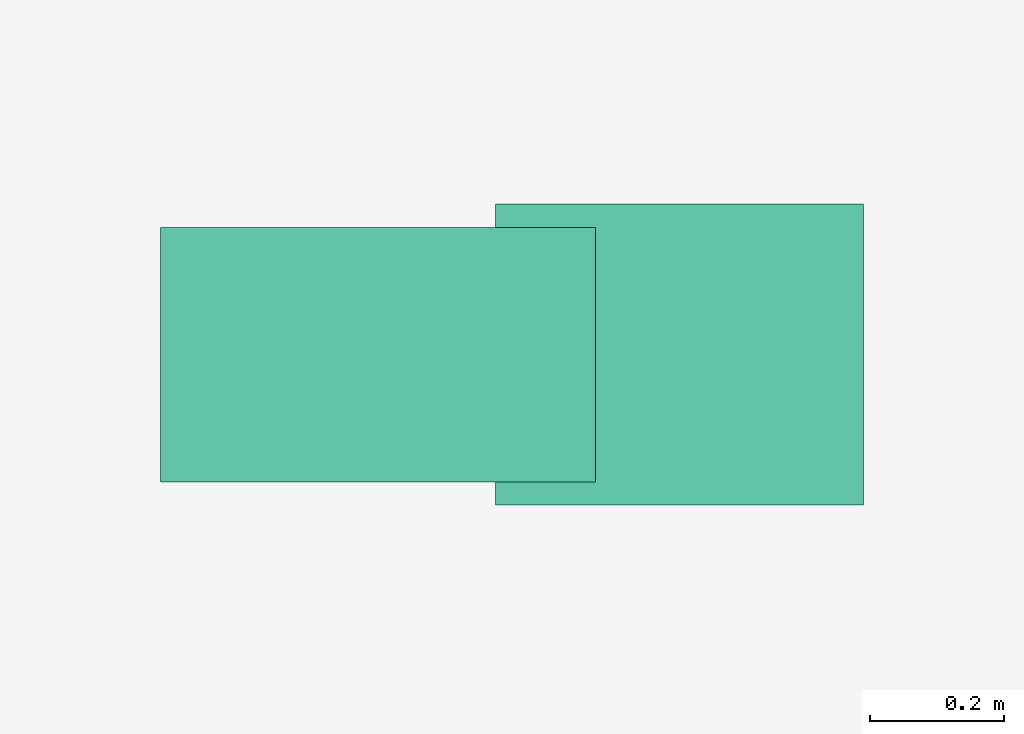
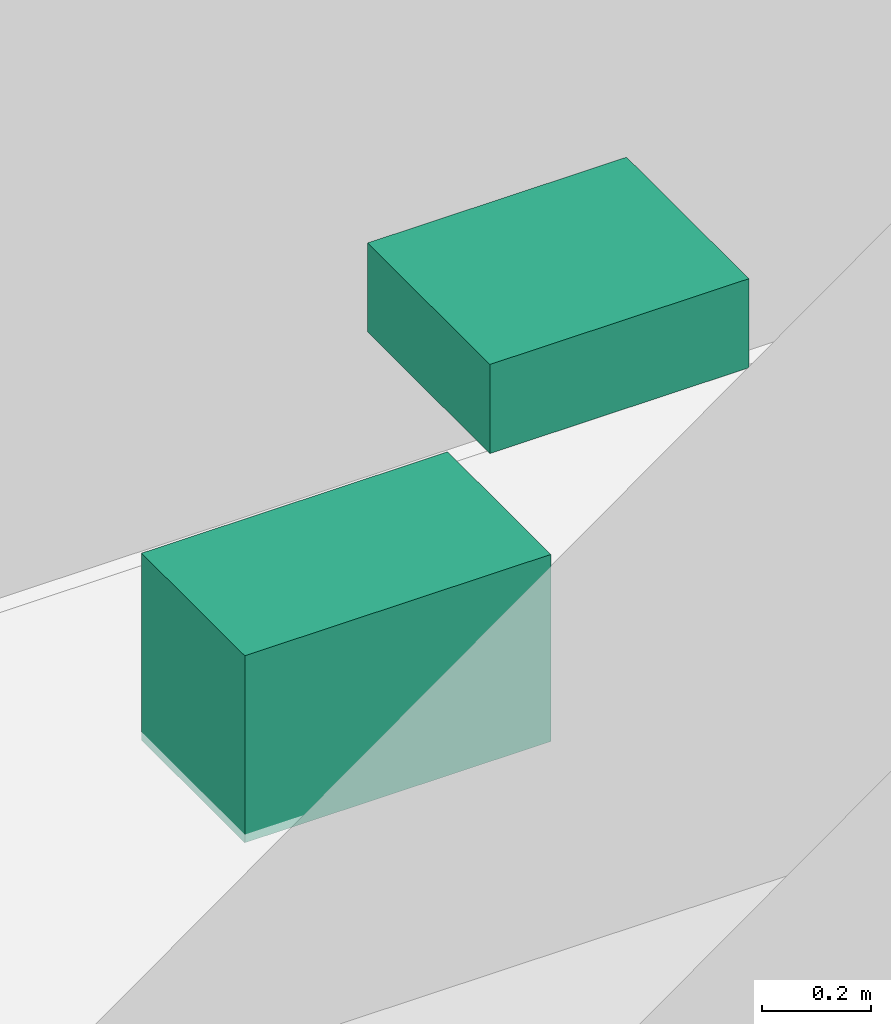
# One storey, part 15 of 15: 2 sanitary terminals.
"""IFC4 building model written with IfcOpenShell, lengths in metres."""

import ifcopenshell
import ifcopenshell.guid

model = None  # the IFC model being written
_history = None  # IfcOwnerHistory: only IFC2X3 demands one
_inside = {}  # id of a spatial element -> (the spatial element, [elements in it])
_under = {}  # id of a project, library or spatial element -> (it, [spatial elements below it])
_declared = {}  # id of a project -> (the project, [libraries it declares])
_typed = {}  # id of a type object -> (the type object, [elements of that type])
_made_of = {}  # id of a material, layer set ... -> (it, [elements and type objects made of it])


def new_model(schema):
    """Start an empty IFC model of exactly this schema.

    Asked for "IFC4X3", IfcOpenShell would pick the latest addendum, in which some entities
    have other attributes; the version numbers below select the first issue.
    IFC2X3 requires an IfcOwnerHistory on every rooted entity: one is made here for all.
    """
    global model, _history
    if schema == "IFC4X3":
        model = ifcopenshell.file(schema_version=(4, 3, 0, 0))
    else:
        model = ifcopenshell.file(schema=schema)
    _inside.clear()
    _under.clear()
    _declared.clear()
    _typed.clear()
    _made_of.clear()
    _history = None
    if model.schema == "IFC2X3":
        org = make("IfcOrganization", Name="unknown")
        user = make(
            "IfcPersonAndOrganization",
            ThePerson=make("IfcPerson", FamilyName="unknown"),
            TheOrganization=org,
        )
        app = make(
            "IfcApplication",
            ApplicationDeveloper=org,
            Version="unknown",
            ApplicationFullName="unknown",
            ApplicationIdentifier="unknown",
        )
        _history = make(
            "IfcOwnerHistory",
            OwningUser=user,
            OwningApplication=app,
            ChangeAction="ADDED",
            CreationDate=0,
        )
    return model


def make(cls, **values):
    """One entity of the class cls with the attributes given. An attribute that is None is left unset."""
    return model.create_entity(
        cls, **{name: value for name, value in values.items() if value is not None}
    )


def rooted(cls, **values):
    """An entity with a GlobalId (a new one), such as an element, a storey or a relation."""
    return make(cls, GlobalId=ifcopenshell.guid.new(), OwnerHistory=_history, **values)


def si_unit(unit_type, name, prefix=None):
    """IfcSIUnit, for example si_unit("LENGTHUNIT", "METRE", prefix="MILLI")."""
    return make("IfcSIUnit", UnitType=unit_type, Prefix=prefix, Name=name)


def assignment(units):
    """IfcUnitAssignment: the units of a project."""
    return None if units is None else make("IfcUnitAssignment", Units=units)


def point(xyz):
    """IfcCartesianPoint."""
    return None if xyz is None else make("IfcCartesianPoint", Coordinates=xyz)


def direction(xyz):
    """IfcDirection."""
    return None if xyz is None else make("IfcDirection", DirectionRatios=xyz)


def frame(location, z_axis=None, x_axis=None):
    """IfcAxis2Placement3D, a coordinate frame: its origin and axes. An axis left out is left unset."""
    return make(
        "IfcAxis2Placement3D",
        Location=point(location),
        Axis=direction(z_axis),
        RefDirection=direction(x_axis),
    )


def frame_2d(location, x_axis=None):
    """IfcAxis2Placement2D, a coordinate frame in the plane: its origin and x axis."""
    return make(
        "IfcAxis2Placement2D", Location=point(location), RefDirection=direction(x_axis)
    )


def origin():
    """The frame at (0, 0, 0) with its axes left unset."""
    return frame((0.0, 0.0, 0.0))


def origin_2d():
    """The frame at (0, 0) in the plane with its x axis left unset."""
    return frame_2d((0.0, 0.0))


def place(relative_to, where):
    """IfcLocalPlacement: puts the frame where relative to a parent placement (None: the world)."""
    return make(
        "IfcLocalPlacement", PlacementRelTo=relative_to, RelativePlacement=where
    )


def context(
    kind, dimensions, precision=None, world=None, true_north=None, identifier=None
):
    """IfcGeometricRepresentationContext, for example the 3D "Model" context."""
    return make(
        "IfcGeometricRepresentationContext",
        ContextIdentifier=identifier,
        ContextType=kind,
        CoordinateSpaceDimension=dimensions,
        Precision=precision,
        WorldCoordinateSystem=world,
        TrueNorth=true_north,
    )


def subcontext(parent, identifier, kind, view, scale=None):
    """IfcGeometricRepresentationSubContext, for example "Body" below "Model"."""
    return make(
        "IfcGeometricRepresentationSubContext",
        ContextIdentifier=identifier,
        ContextType=kind,
        ParentContext=parent,
        TargetScale=scale,
        TargetView=view,
    )


def project(units=None, contexts=None):
    """IfcProject with its units and contexts."""
    return rooted(
        "IfcProject",
        Name="project",
        RepresentationContexts=contexts,
        UnitsInContext=assignment(units),
    )


def spatial(cls, under=None, at=None, **own):
    """A site, building, storey or space (cls), placed at a placement, below another one or the project."""
    s = rooted(cls, ObjectPlacement=at, **own)
    if under is not None:
        _under.setdefault(under.id(), (under, []))[1].append(s)
    return s


def profile(cls, at=None, kind="AREA", **sizes):
    """A parametric profile (cls). Its sizes go by their IFC names, for example OverallWidth=200.0."""
    return make(cls, ProfileType=kind, Position=at, **sizes)


def rectangle(**sizes):
    """IfcRectangleProfileDef."""
    return profile("IfcRectangleProfileDef", **sizes)


def extrude(swept, where, along, depth):
    """IfcExtrudedAreaSolid: the profile swept, set in the frame where, extruded along a direction by depth."""
    return make(
        "IfcExtrudedAreaSolid",
        SweptArea=swept,
        Position=where,
        ExtrudedDirection=direction(along),
        Depth=depth,
    )


def shape(context_of_items, identifier, shape_type, items):
    """IfcShapeRepresentation: the items that make up one representation, for example the "Body"."""
    return make(
        "IfcShapeRepresentation",
        ContextOfItems=context_of_items,
        RepresentationIdentifier=identifier,
        RepresentationType=shape_type,
        Items=items,
    )


def material(Name=None, Category=None):
    """IfcMaterial."""
    return make("IfcMaterial", Name=Name, Category=Category)


def made_of(thing, what):
    """Note that an element or type object is made of a material, layer set ...; save() writes the relation."""
    if what is not None:
        _made_of.setdefault(what.id(), (what, []))[1].append(thing)
    return thing


def type_object(cls, material=None, **own):
    """A type object (cls), such as IfcWallType, which elements share."""
    return made_of(rooted(cls, **own), material)


def element(
    cls,
    number,
    at=None,
    inside=None,
    cuts=None,
    type_object=None,
    material=None,
    context=None,
    identifier="Body",
    shape_type=None,
    held_by="IfcProductDefinitionShape",
    body=None,
    shapes=None,
    **own,
):
    """One element of the class cls, such as IfcWall. Its Tag is "e" and its number.

    at: its placement. inside: the storey or other place that contains it. cuts: it is an
    opening in that element (IfcRelVoidsElement). A single representation is given by context,
    identifier, shape_type and body (its items); several are given by shapes. held_by: the class
    of the entity that holds the representations. save() writes the other relations.
    """
    e = rooted(cls, Tag="e%d" % number, ObjectPlacement=at, **own)
    if body is not None:
        shapes = [shape(context, identifier, shape_type, body)]
    if shapes is not None:
        e.Representation = make(held_by, Representations=shapes)
    if inside is not None:
        _inside.setdefault(inside.id(), (inside, []))[1].append(e)
    if cuts is not None:
        rooted(
            "IfcRelVoidsElement", RelatingBuildingElement=cuts, RelatedOpeningElement=e
        )
    if type_object is not None:
        _typed.setdefault(type_object.id(), (type_object, []))[1].append(e)
    return made_of(e, material)


def aggregate(whole, parts):
    """IfcRelAggregates: a whole, such as a stair, and the parts it consists of."""
    return rooted("IfcRelAggregates", RelatingObject=whole, RelatedObjects=parts)


def save(model, path):
    """Write the relations noted so far, then the file.

    IfcRelAggregates (storeys below a building ...), IfcRelContainedInSpatialStructure (elements
    in a storey), IfcRelDefinesByType, IfcRelAssociatesMaterial and IfcRelDeclares: one each for
    every whole, place, type object, material and project.
    """
    for whole, parts in _under.values():
        aggregate(whole, parts)
    for where, things in _inside.values():
        rooted(
            "IfcRelContainedInSpatialStructure",
            RelatedElements=things,
            RelatingStructure=where,
        )
    for kind, things in _typed.values():
        rooted("IfcRelDefinesByType", RelatedObjects=things, RelatingType=kind)
    for what, things in _made_of.values():
        rooted("IfcRelAssociatesMaterial", RelatedObjects=things, RelatingMaterial=what)
    for by, libraries in _declared.values():
        rooted("IfcRelDeclares", RelatingContext=by, RelatedDefinitions=libraries)
    model.write(path)


model = new_model("IFC4")

# Units and contexts
model_context = context("Model", 3, precision=1e-05, world=origin(), true_north=direction((0.0, 1.0)))
body_context = subcontext(model_context, "Body", "Model", "MODEL_VIEW")
ifc_project = project(units=[si_unit("LENGTHUNIT", "METRE"), si_unit("AREAUNIT", "SQUARE_METRE"), si_unit("VOLUMEUNIT", "CUBIC_METRE"), si_unit("PLANEANGLEUNIT", "RADIAN"), si_unit("MASSUNIT", "GRAM", prefix="KILO")], contexts=[model_context])

# Site, building, storey
site_placement = place(None, origin())
site = spatial("IfcSite", under=ifc_project, at=site_placement, CompositionType="ELEMENT")
building_placement = place(site_placement, origin())
building = spatial("IfcBuilding", under=site, at=building_placement, Name="Savorim Split Tower", CompositionType="ELEMENT")
storey_placement = place(building_placement, frame((0.0, 0.0, 308.39990234375)))
storey = spatial("IfcBuildingStorey", under=building, at=storey_placement, Name="Crown L82 Plant", CompositionType="ELEMENT", Elevation=308.39990234375)

# Sanitary terminals
ifc_material = material(Name="Vitreous China Sanitaryware")
sanitary_terminal_type_1 = type_object("IfcSanitaryTerminalType", Name="SAN-WC-PAN", PredefinedType="TOILETPAN", material=ifc_material)
sanitary_terminal_1_placement = place(storey_placement, frame((-4.35009765625, -8.3701171875, 0.000244140625), z_axis=(0.0, 0.0, 1.0), x_axis=(1.0, 0.0, 0.0)))
element("IfcSanitaryTerminal", 1, at=sanitary_terminal_1_placement, inside=storey, type_object=sanitary_terminal_type_1, Name="Crown L82 Plant Public WC WC Pan", PredefinedType="TOILETPAN", context=body_context, shape_type="SweptSolid", body=[
    extrude(rectangle(XDim=0.64990234375, YDim=0.3798828125, at=origin_2d()), origin(), (0.0, 0.0, 1.0), 0.419921875),
])
sanitary_terminal_type_2 = type_object("IfcSanitaryTerminalType", Name="SAN-WHB-550", PredefinedType="WASHHANDBASIN", material=ifc_material)
sanitary_terminal_2_placement = place(storey_placement, frame((-3.89990234375, -8.3701171875, 0.72021484375), z_axis=(0.0, 0.0, 1.0), x_axis=(1.0, 0.0, 0.0)))
element("IfcSanitaryTerminal", 2, at=sanitary_terminal_2_placement, inside=storey, type_object=sanitary_terminal_type_2, Name="Crown L82 Plant Public WC Washhand Basin", PredefinedType="WASHHANDBASIN", context=body_context, shape_type="SweptSolid", body=[
    extrude(rectangle(XDim=0.550048828125, YDim=0.449951171875, at=origin_2d()), origin(), (0.0, 0.0, 1.0), 0.199951171875),
])

save(model, "model.ifc")
